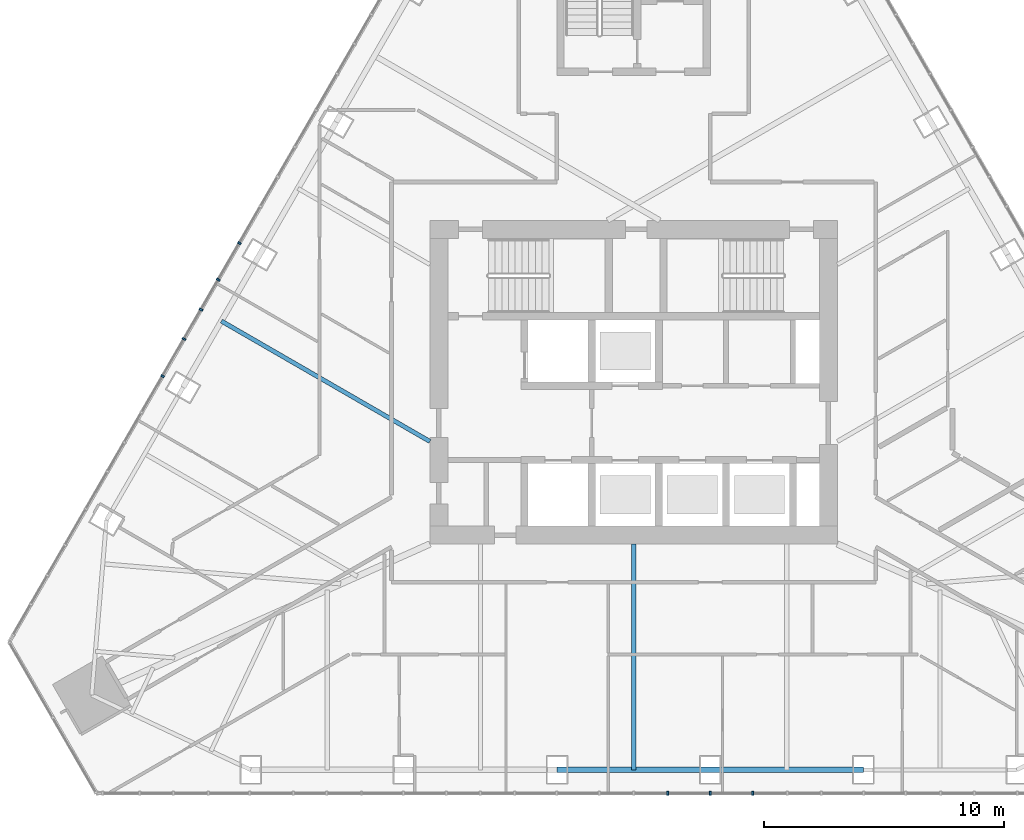
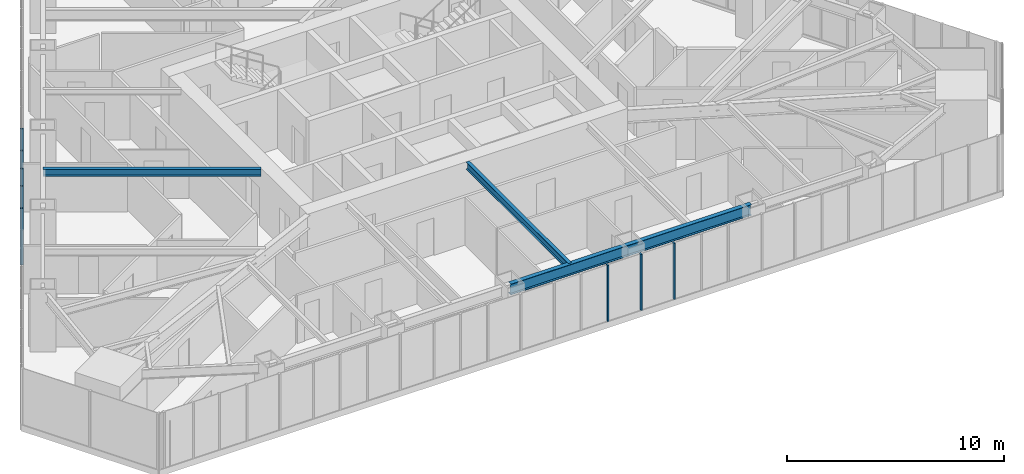
# One storey, part 4 of 21: 8 members, 3 beams, 2 elements without a shape of their own.
"""IFC4 building model written with IfcOpenShell, lengths in metres."""

from ifc_helpers import new_model, si_unit, direction, frame, origin, origin_2d, place, context, subcontext, project, spatial, rectangle, i_section, extrude, material, layer, layer_set, material_profile, profile_set, type_object, element, aggregate, save


model = new_model("IFC4")

# Units and contexts
model_context = context("Model", 3, precision=1e-05, world=origin(), true_north=direction((0.0, 1.0)))
body_context = subcontext(model_context, "Body", "Model", "MODEL_VIEW")
ifc_project = project(units=[si_unit("LENGTHUNIT", "METRE"), si_unit("AREAUNIT", "SQUARE_METRE"), si_unit("VOLUMEUNIT", "CUBIC_METRE"), si_unit("PLANEANGLEUNIT", "RADIAN"), si_unit("MASSUNIT", "GRAM", prefix="KILO")], contexts=[model_context])

# Site, building, storey
site_placement = place(None, origin())
site = spatial("IfcSite", under=ifc_project, at=site_placement, CompositionType="ELEMENT")
building_placement = place(site_placement, origin())
building = spatial("IfcBuilding", under=site, at=building_placement, Name="Firuza Gate Tower and Library", CompositionType="ELEMENT")
storey_placement = place(building_placement, frame((0.0, 0.0, 284.60009765625)))
storey = spatial("IfcBuildingStorey", under=building, at=storey_placement, Name="L68", CompositionType="ELEMENT", Elevation=284.60009765625)

# Curtain wall, members
ifc_material_1 = material(Name="Aluminium 6063-T6", Category="aluminium")
ifc_layer = layer(ifc_material_1, 0.14990234375)
ifc_layer_set = layer_set([ifc_layer], Name="Unitised curtain wall, residences")
curtain_wall_type = type_object("IfcCurtainWallType", Name="Unitised curtain wall, residences", PredefinedType="NOTDEFINED", material=ifc_layer_set)
placement = place(storey_placement, origin())
curtain_wall_1 = element("IfcCurtainWall", 1, at=placement, inside=storey, type_object=curtain_wall_type, Name="CW3 L68 S face", PredefinedType="NOTDEFINED")
ifc_material_2 = material(Name="Aluminium 6063-T6", Category="aluminium")
ifc_material_profile_1 = material_profile(ifc_material_2, rectangle(XDim=0.14990234375, YDim=0.080078125, at=origin_2d()))
ifc_profile_set_1 = profile_set([ifc_material_profile_1], Name="Aluminium 6063-T6")
member_type = type_object("IfcMemberType", Name="Curtain wall mullion 80x150", PredefinedType="MULLION", material=ifc_profile_set_1)
member_1_placement = place(storey_placement, frame((78.200927734375, 57.85693359375, 0.14990234375), z_axis=(0.0, 0.0, 1.0), x_axis=(0.0, 1.0, 0.0)))
member_1 = element("IfcMember", 2, at=member_1_placement, type_object=member_type, Name="Mullion", PredefinedType="MULLION", context=body_context, shape_type="SweptSolid", body=[
    extrude(rectangle(XDim=0.14990234375, YDim=0.080078125, at=origin_2d()), origin(), (0.0, 0.0, 1.0), 3.14990234375),
])
member_2_placement = place(storey_placement, frame((76.42822265625, 57.85693359375, 0.14990234375), z_axis=(0.0, 0.0, 1.0), x_axis=(0.0, 1.0, 0.0)))
member_2 = element("IfcMember", 3, at=member_2_placement, type_object=member_type, Name="Mullion", PredefinedType="MULLION", context=body_context, shape_type="SweptSolid", body=[
    extrude(rectangle(XDim=0.14990234375, YDim=0.080078125, at=origin_2d()), origin(), (0.0, 0.0, 1.0), 3.14990234375),
])
member_3_placement = place(storey_placement, frame((79.9609375, 57.85693359375, 0.14990234375), z_axis=(0.0, 0.0, 1.0), x_axis=(0.0, 1.0, 0.0)))
member_3 = element("IfcMember", 4, at=member_3_placement, type_object=member_type, Name="Mullion", PredefinedType="MULLION", context=body_context, shape_type="SweptSolid", body=[
    extrude(rectangle(XDim=0.14990234375, YDim=0.080078125, at=origin_2d()), origin(), (0.0, 0.0, 1.0), 3.14990234375),
])
aggregate(curtain_wall_1, [member_1, member_2, member_3])

curtain_wall_2 = element("IfcCurtainWall", 5, at=placement, inside=storey, type_object=curtain_wall_type, Name="CW3 L68 W face", PredefinedType="NOTDEFINED")
member_4_placement = place(storey_placement, frame((58.55322265625, 80.799560546875, 0.14990234375), z_axis=(0.0, 0.0, 1.0), x_axis=(0.866025403784, -0.5, 0.0)))
member_4 = element("IfcMember", 6, at=member_4_placement, type_object=member_type, Name="Mullion", PredefinedType="MULLION", context=body_context, shape_type="SweptSolid", body=[
    extrude(rectangle(XDim=0.14990234375, YDim=0.080078125, at=origin_2d()), origin(), (0.0, 0.0, 1.0), 3.14990234375),
])
member_5_placement = place(storey_placement, frame((56.952880859375, 78.027587890625, 0.14990234375), z_axis=(0.0, 0.0, 1.0), x_axis=(0.866025403784, -0.5, 0.0)))
member_5 = element("IfcMember", 7, at=member_5_placement, type_object=member_type, Name="Mullion", PredefinedType="MULLION", context=body_context, shape_type="SweptSolid", body=[
    extrude(rectangle(XDim=0.14990234375, YDim=0.080078125, at=origin_2d()), origin(), (0.0, 0.0, 1.0), 3.14990234375),
])
member_6_placement = place(storey_placement, frame((55.3525390625, 75.25537109375, 0.14990234375), z_axis=(0.0, 0.0, 1.0), x_axis=(0.866025403784, -0.5, 0.0)))
member_6 = element("IfcMember", 8, at=member_6_placement, type_object=member_type, Name="Mullion", PredefinedType="MULLION", context=body_context, shape_type="SweptSolid", body=[
    extrude(rectangle(XDim=0.14990234375, YDim=0.080078125, at=origin_2d()), origin(), (0.0, 0.0, 1.0), 3.14990234375),
])
member_7_placement = place(storey_placement, frame((57.673095703125, 79.275146484375, 0.14990234375), z_axis=(0.0, 0.0, 1.0), x_axis=(0.866025403784, -0.5, 0.0)))
member_7 = element("IfcMember", 9, at=member_7_placement, type_object=member_type, Name="Mullion", PredefinedType="MULLION", context=body_context, shape_type="SweptSolid", body=[
    extrude(rectangle(XDim=0.14990234375, YDim=0.080078125, at=origin_2d()), origin(), (0.0, 0.0, 1.0), 3.14990234375),
])
member_8_placement = place(storey_placement, frame((56.244873046875, 76.80126953125, 0.14990234375), z_axis=(0.0, 0.0, 1.0), x_axis=(0.866025403784, -0.5, 0.0)))
member_8 = element("IfcMember", 10, at=member_8_placement, type_object=member_type, Name="Mullion", PredefinedType="MULLION", context=body_context, shape_type="SweptSolid", body=[
    extrude(rectangle(XDim=0.14990234375, YDim=0.080078125, at=origin_2d()), origin(), (0.0, 0.0, 1.0), 3.14990234375),
])
aggregate(curtain_wall_2, [member_4, member_5, member_6, member_7, member_8])

# Beams
ifc_material_3 = material(Name="Steel S355", Category="steel")
ifc_material_profile_2 = material_profile(ifc_material_3, i_section(OverallWidth=0.177978515625, OverallDepth=0.406982421875, WebThickness=0.0078125, FlangeThickness=0.0126953125, at=origin_2d()))
ifc_profile_set_2 = profile_set([ifc_material_profile_2], Name="Steel S355")
beam_type_1 = type_object("IfcBeamType", Name="W410x60 Floor beam", PredefinedType="JOIST", material=ifc_profile_set_2)
beam_1_placement = place(storey_placement, frame((75.0, 58.83203125, 3.096435546875), z_axis=(0.0, 1.0, 0.0), x_axis=(-1.0, 0.0, 0.0)))
element("IfcBeam", 11, at=beam_1_placement, inside=storey, type_object=beam_type_1, Name="Floor beam L68 s22", PredefinedType="JOIST", context=body_context, shape_type="SweptSolid", body=[
    extrude(i_section(OverallWidth=0.177978515625, OverallDepth=0.406982421875, WebThickness=0.0078125, FlangeThickness=0.0126953125, at=origin_2d()), origin(), (0.0, 0.0, 1.0), 9.41796875),
])
beam_2_placement = place(storey_placement, frame((57.803466796875, 77.55078125, 3.096435546875), z_axis=(0.866023234473, -0.500003757339, 0.0), x_axis=(0.500003757339, 0.866023234473, 0.0)))
element("IfcBeam", 12, at=beam_2_placement, inside=storey, type_object=beam_type_1, Name="Floor beam L68 s83", PredefinedType="JOIST", context=body_context, shape_type="SweptSolid", body=[
    extrude(i_section(OverallWidth=0.177978515625, OverallDepth=0.406982421875, WebThickness=0.0078125, FlangeThickness=0.0126953125, at=origin_2d()), origin(), (0.0, 0.0, 1.0), 10.0419921875),
])
ifc_material_4 = material(Name="Steel S355", Category="steel")
ifc_material_profile_3 = material_profile(ifc_material_4, i_section(OverallWidth=0.22900390625, OverallDepth=0.612060546875, WebThickness=0.011962890625, FlangeThickness=0.01953125, at=origin_2d()))
ifc_profile_set_3 = profile_set([ifc_material_profile_3], Name="Steel S355")
beam_type_2 = type_object("IfcBeamType", Name="W610x125 Edge beam", PredefinedType="SPANDREL", material=ifc_profile_set_3)
beam_3_placement = place(storey_placement, frame((71.805419921875, 58.83203125, 2.993896484375), z_axis=(1.0, 0.0, 0.0), x_axis=(0.0, 1.0, 0.0)))
element("IfcBeam", 13, at=beam_3_placement, inside=storey, type_object=beam_type_2, Name="Edge beam L68 e22", PredefinedType="SPANDREL", context=body_context, shape_type="SweptSolid", body=[
    extrude(i_section(OverallWidth=0.22900390625, OverallDepth=0.612060546875, WebThickness=0.011962890625, FlangeThickness=0.01953125, at=origin_2d()), origin(), (0.0, 0.0, 1.0), 12.778564453125),
])

save(model, "model.ifc")
